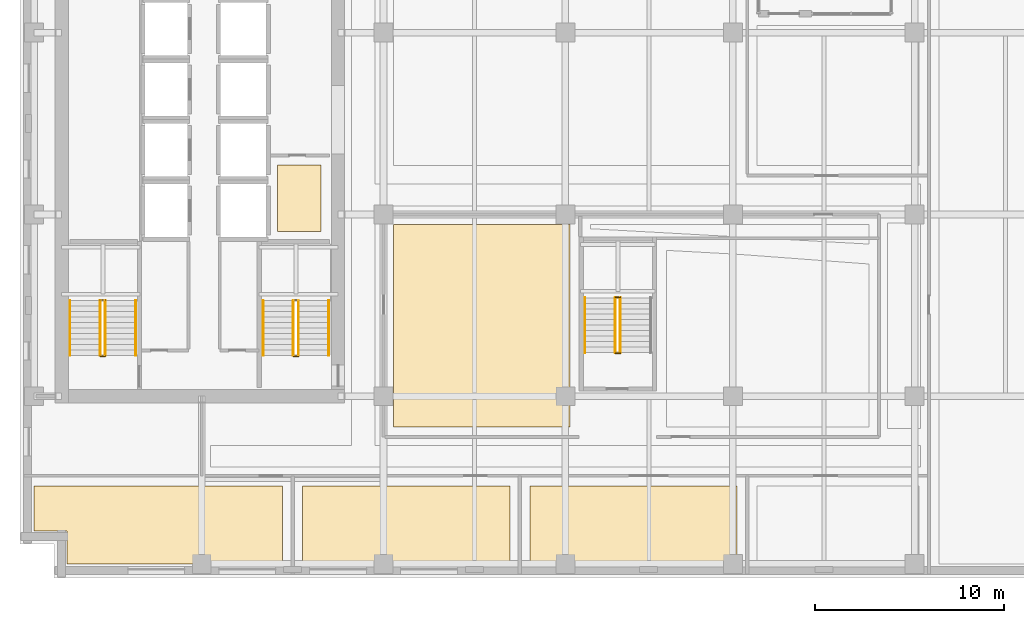
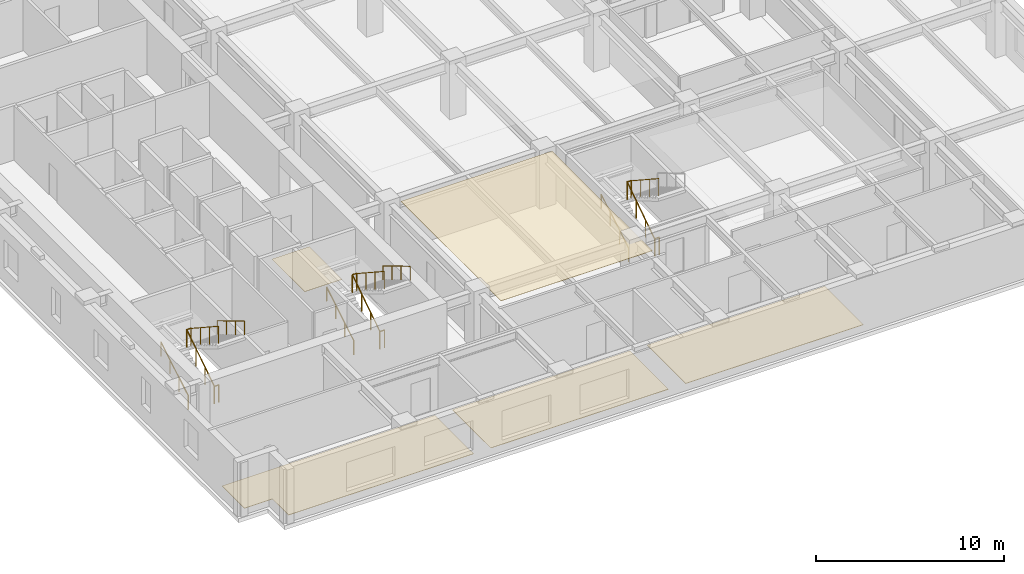
# One storey, part 12 of 16: 17 railings, 5 coverings.
"""IFC4 building model written with IfcOpenShell, lengths in metres."""

from ifc_helpers import new_model, si_unit, direction, frame, origin, origin_2d, place, context, subcontext, project, spatial, polyline, circle, outline, extrude, material, layer, layer_set, type_object, element, save


model = new_model("IFC4")

# Units and contexts
model_context = context("Model", 3, precision=1e-05, world=origin(), true_north=direction((0.0, 1.0)))
body_context = subcontext(model_context, "Body", "Model", "MODEL_VIEW")
ifc_project = project(units=[si_unit("LENGTHUNIT", "METRE"), si_unit("AREAUNIT", "SQUARE_METRE"), si_unit("VOLUMEUNIT", "CUBIC_METRE"), si_unit("PLANEANGLEUNIT", "RADIAN"), si_unit("MASSUNIT", "GRAM", prefix="KILO")], contexts=[model_context])

# Site, building, storey
site_placement = place(None, origin())
site = spatial("IfcSite", under=ifc_project, at=site_placement, CompositionType="ELEMENT")
building_placement = place(site_placement, origin())
building = spatial("IfcBuilding", under=site, at=building_placement, Name="Norrvale University Quadrangle", CompositionType="ELEMENT")
storey_placement = place(building_placement, frame((0.0, 0.0, 112.800048828125)))
storey = spatial("IfcBuildingStorey", under=building, at=storey_placement, Name="L28", CompositionType="ELEMENT", Elevation=112.800048828125)

# Coverings
ifc_material_1 = material(Name="Perforated Acoustic Mineral Ceiling")
ifc_layer_1 = layer(ifc_material_1, 0.02490234375, Name="Perforated Acoustic Mineral Ceiling")
ifc_layer_set_1 = layer_set([ifc_layer_1], Name="Perforated Acoustic Mineral Ceiling")
covering_type_1 = type_object("IfcCoveringType", Name="Covering Acoustic Ceiling 25", PredefinedType="CEILING", material=ifc_layer_set_1)
covering_1_placement = place(storey_placement, frame((0.0, 0.0, 3.514892578125)))
element("IfcCovering", 1, at=covering_1_placement, inside=storey, type_object=covering_type_1, Name="Acoustic Ceiling RM-L28-IW1", PredefinedType="CEILING", context=body_context, shape_type="SweptSolid", body=[
    extrude(outline(polyline([(19.72998046875, 7.97998046875), (19.72998046875, 18.669921875), (29.050048828125, 18.669921875), (29.050048828125, 7.97998046875), (19.72998046875, 7.97998046875)])), origin(), (0.0, 0.0, 1.0), 0.025146484375),
])
ifc_material_2 = material(Name="Polished Terrazzo Flooring")
ifc_layer_2 = layer(ifc_material_2, 0.02490234375, Name="Polished Terrazzo Flooring")
ifc_layer_set_2 = layer_set([ifc_layer_2], Name="Polished Terrazzo Flooring")
covering_type_2 = type_object("IfcCoveringType", Name="Covering Terrazzo Floor 30", PredefinedType="FLOORING", material=ifc_layer_set_2)
covering_2_placement = place(storey_placement, origin())
element("IfcCovering", 2, at=covering_2_placement, inside=storey, type_object=covering_type_2, Name="Terrazzo Flooring RM-L28-JAN", PredefinedType="FLOORING", context=body_context, shape_type="SweptSolid", body=[
    extrude(outline(polyline([(13.60009765625, 18.300048828125), (13.60009765625, 21.800048828125), (15.89990234375, 21.800048828125), (15.89990234375, 18.300048828125), (13.60009765625, 18.300048828125)])), origin(), (0.0, 0.0, 1.0), 0.02490234375),
])
covering_3_placement = place(storey_placement, origin())
element("IfcCovering", 3, at=covering_3_placement, inside=storey, type_object=covering_type_2, Name="Terrazzo Flooring RM-L28-S01", PredefinedType="FLOORING", context=body_context, shape_type="SweptSolid", body=[
    extrude(outline(polyline([(13.8701171875, 4.8701171875), (13.8701171875, 0.75), (2.469970703125, 0.75), (2.469970703125, 2.469970703125), (0.75, 2.469970703125), (0.75, 4.8701171875), (13.8701171875, 4.8701171875)])), origin(), (0.0, 0.0, 1.0), 0.02490234375),
])
covering_4_placement = place(storey_placement, origin())
element("IfcCovering", 4, at=covering_4_placement, inside=storey, type_object=covering_type_2, Name="Terrazzo Flooring RM-L28-S02", PredefinedType="FLOORING", context=body_context, shape_type="SweptSolid", body=[
    extrude(outline(polyline([(25.8701171875, 4.8701171875), (25.8701171875, 0.75), (14.929931640625, 0.75), (14.929931640625, 4.8701171875), (25.8701171875, 4.8701171875)])), origin(), (0.0, 0.0, 1.0), 0.02490234375),
])
covering_5_placement = place(storey_placement, origin())
element("IfcCovering", 5, at=covering_5_placement, inside=storey, type_object=covering_type_2, Name="Terrazzo Flooring RM-L28-S03", PredefinedType="FLOORING", context=body_context, shape_type="SweptSolid", body=[
    extrude(outline(polyline([(37.8701171875, 4.8701171875), (37.8701171875, 0.75), (26.929931640625, 0.75), (26.929931640625, 4.8701171875), (37.8701171875, 4.8701171875)])), origin(), (0.0, 0.0, 1.0), 0.02490234375),
])

# Railings
ifc_material_3 = material(Name="Steel 350W Painted Balustrade", Category="steel")
railing_type_1 = type_object("IfcRailingType", Name="Railing Stair Guard 1100", PredefinedType="GUARDRAIL", material=ifc_material_3)
for number, where, name in (
    (6, (4.239990234375, 11.719970703125, 0.0), "Stair Floor Well Guard ST-01 L28"),
    (7, (4.239990234375, 14.679931640625, 1.89990234375), "Stair Mid-Landing Slot Guard ST-01 L28"),
):
    element("IfcRailing", number, at=place(storey_placement, frame(where)), inside=storey, type_object=railing_type_1, Name=name, PredefinedType="GUARDRAIL", context=body_context, shape_type="SweptSolid", body=[
        extrude(circle(Radius=0.02392578125, at=origin_2d()), frame((0.0, 0.0, 1.1259765625), z_axis=(1.0, 0.0, 0.0), x_axis=(0.0, 1.0, 0.0)), (0.0, 0.0, 1.0), 0.27001953125),
        extrude(circle(Radius=0.02099609375, at=origin_2d()), origin(), (0.0, 0.0, 1.0), 1.101806640625),
        extrude(circle(Radius=0.02099609375, at=origin_2d()), frame((0.27001953125, 0.0, 0.0)), (0.0, 0.0, 1.0), 1.101806640625),
    ])
railing_1_placement = place(storey_placement, frame((4.239990234375, 11.75, 0.0)))
element("IfcRailing", 8, at=railing_1_placement, inside=storey, type_object=railing_type_1, Name="Stair Lower Flight Inner Guard ST-01 L28", PredefinedType="GUARDRAIL", context=body_context, shape_type="SweptSolid", body=[
    extrude(circle(Radius=0.02392578125, at=origin_2d()), frame((0.0, 0.0, 1.1259765625), z_axis=(0.0, 0.836465582154, 0.548019461216), x_axis=(-1.0, 0.0, 0.0)), (0.0, 0.0, 1.0), 3.466796875),
    extrude(circle(Radius=0.02099609375, at=origin_2d()), origin(), (0.0, 0.0, 1.0), 1.101806640625),
    extrude(circle(Radius=0.02099609375, at=origin_2d()), frame((0.0, 0.966552734375, 0.63330078125)), (0.0, 0.0, 1.0), 1.101806640625),
    extrude(circle(Radius=0.02099609375, at=origin_2d()), frame((0.0, 1.933349609375, 1.2666015625)), (0.0, 0.0, 1.0), 1.101806640625),
    extrude(circle(Radius=0.02099609375, at=origin_2d()), frame((0.0, 2.89990234375, 1.89990234375)), (0.0, 0.0, 1.0), 1.101806640625),
])
railing_2_placement = place(storey_placement, frame((4.510009765625, 14.64990234375, 1.89990234375)))
element("IfcRailing", 9, at=railing_2_placement, inside=storey, type_object=railing_type_1, Name="Stair Upper Flight Inner Guard ST-01 L28", PredefinedType="GUARDRAIL", context=body_context, shape_type="SweptSolid", body=[
    extrude(circle(Radius=0.02392578125, at=origin_2d()), frame((0.0, 0.0, 1.1259765625), z_axis=(0.0, -0.836433300813, 0.548068730445), x_axis=(1.0, 0.0, 0.0)), (0.0, 0.0, 1.0), 3.467041015625),
    extrude(circle(Radius=0.02099609375, at=origin_2d()), origin(), (0.0, 0.0, 1.0), 1.101806640625),
    extrude(circle(Radius=0.02099609375, at=origin_2d()), frame((0.0, -0.966552734375, 0.63330078125)), (0.0, 0.0, 1.0), 1.101806640625),
    extrude(circle(Radius=0.02099609375, at=origin_2d()), frame((0.0, -1.933349609375, 1.266845703125)), (0.0, 0.0, 1.0), 1.101806640625),
    extrude(circle(Radius=0.02099609375, at=origin_2d()), frame((0.0, -2.89990234375, 1.900146484375)), (0.0, 0.0, 1.0), 1.101806640625),
])
for number, where, name in (
    (10, (14.43994140625, 11.719970703125, 0.0), "Stair Floor Well Guard ST-03 L28"),
    (11, (14.43994140625, 14.679931640625, 1.89990234375), "Stair Mid-Landing Slot Guard ST-03 L28"),
):
    element("IfcRailing", number, at=place(storey_placement, frame(where)), inside=storey, type_object=railing_type_1, Name=name, PredefinedType="GUARDRAIL", context=body_context, shape_type="SweptSolid", body=[
        extrude(circle(Radius=0.02392578125, at=origin_2d()), frame((0.0, 0.0, 1.1259765625), z_axis=(1.0, 0.0, 0.0), x_axis=(0.0, 1.0, 0.0)), (0.0, 0.0, 1.0), 0.27001953125),
        extrude(circle(Radius=0.02099609375, at=origin_2d()), origin(), (0.0, 0.0, 1.0), 1.101806640625),
        extrude(circle(Radius=0.02099609375, at=origin_2d()), frame((0.27001953125, 0.0, 0.0)), (0.0, 0.0, 1.0), 1.101806640625),
    ])
railing_3_placement = place(storey_placement, frame((14.43994140625, 11.75, 0.0)))
element("IfcRailing", 12, at=railing_3_placement, inside=storey, type_object=railing_type_1, Name="Stair Lower Flight Inner Guard ST-03 L28", PredefinedType="GUARDRAIL", context=body_context, shape_type="SweptSolid", body=[
    extrude(circle(Radius=0.02392578125, at=origin_2d()), frame((0.0, 0.0, 1.1259765625), z_axis=(0.0, 0.836465582154, 0.548019461216), x_axis=(-1.0, 0.0, 0.0)), (0.0, 0.0, 1.0), 3.466796875),
    extrude(circle(Radius=0.02099609375, at=origin_2d()), origin(), (0.0, 0.0, 1.0), 1.101806640625),
    extrude(circle(Radius=0.02099609375, at=origin_2d()), frame((0.0, 0.966552734375, 0.63330078125)), (0.0, 0.0, 1.0), 1.101806640625),
    extrude(circle(Radius=0.02099609375, at=origin_2d()), frame((0.0, 1.933349609375, 1.2666015625)), (0.0, 0.0, 1.0), 1.101806640625),
    extrude(circle(Radius=0.02099609375, at=origin_2d()), frame((0.0, 2.89990234375, 1.89990234375)), (0.0, 0.0, 1.0), 1.101806640625),
])
railing_4_placement = place(storey_placement, frame((14.7099609375, 14.64990234375, 1.89990234375)))
element("IfcRailing", 13, at=railing_4_placement, inside=storey, type_object=railing_type_1, Name="Stair Upper Flight Inner Guard ST-03 L28", PredefinedType="GUARDRAIL", context=body_context, shape_type="SweptSolid", body=[
    extrude(circle(Radius=0.02392578125, at=origin_2d()), frame((0.0, 0.0, 1.1259765625), z_axis=(0.0, -0.836433300813, 0.548068730445), x_axis=(1.0, 0.0, 0.0)), (0.0, 0.0, 1.0), 3.467041015625),
    extrude(circle(Radius=0.02099609375, at=origin_2d()), origin(), (0.0, 0.0, 1.0), 1.101806640625),
    extrude(circle(Radius=0.02099609375, at=origin_2d()), frame((0.0, -0.966552734375, 0.63330078125)), (0.0, 0.0, 1.0), 1.101806640625),
    extrude(circle(Radius=0.02099609375, at=origin_2d()), frame((0.0, -1.933349609375, 1.266845703125)), (0.0, 0.0, 1.0), 1.101806640625),
    extrude(circle(Radius=0.02099609375, at=origin_2d()), frame((0.0, -2.89990234375, 1.900146484375)), (0.0, 0.0, 1.0), 1.101806640625),
])
for number, where, name in (
    (14, (31.43994140625, 11.8701171875, 0.0), "Stair Floor Well Guard ST-04 L28"),
    (15, (31.43994140625, 14.830078125, 1.89990234375), "Stair Mid-Landing Slot Guard ST-04 L28"),
):
    element("IfcRailing", number, at=place(storey_placement, frame(where)), inside=storey, type_object=railing_type_1, Name=name, PredefinedType="GUARDRAIL", context=body_context, shape_type="SweptSolid", body=[
        extrude(circle(Radius=0.02392578125, at=origin_2d()), frame((0.0, 0.0, 1.1259765625), z_axis=(1.0, 0.0, 0.0), x_axis=(0.0, 1.0, 0.0)), (0.0, 0.0, 1.0), 0.27001953125),
        extrude(circle(Radius=0.02099609375, at=origin_2d()), origin(), (0.0, 0.0, 1.0), 1.101806640625),
        extrude(circle(Radius=0.02099609375, at=origin_2d()), frame((0.27001953125, 0.0, 0.0)), (0.0, 0.0, 1.0), 1.101806640625),
    ])
railing_5_placement = place(storey_placement, frame((31.43994140625, 11.89990234375, 0.0)))
element("IfcRailing", 16, at=railing_5_placement, inside=storey, type_object=railing_type_1, Name="Stair Lower Flight Inner Guard ST-04 L28", PredefinedType="GUARDRAIL", context=body_context, shape_type="SweptSolid", body=[
    extrude(circle(Radius=0.02392578125, at=origin_2d()), frame((0.0, 0.0, 1.1259765625), z_axis=(0.0, 0.836486729621, 0.547987181573), x_axis=(-1.0, 0.0, 0.0)), (0.0, 0.0, 1.0), 3.467041015625),
    extrude(circle(Radius=0.02099609375, at=origin_2d()), origin(), (0.0, 0.0, 1.0), 1.101806640625),
    extrude(circle(Radius=0.02099609375, at=origin_2d()), frame((0.0, 0.966796875, 0.63330078125)), (0.0, 0.0, 1.0), 1.101806640625),
    extrude(circle(Radius=0.02099609375, at=origin_2d()), frame((0.0, 1.933349609375, 1.2666015625)), (0.0, 0.0, 1.0), 1.101806640625),
    extrude(circle(Radius=0.02099609375, at=origin_2d()), frame((0.0, 2.900146484375, 1.89990234375)), (0.0, 0.0, 1.0), 1.101806640625),
])
railing_6_placement = place(storey_placement, frame((31.7099609375, 14.800048828125, 1.89990234375)))
element("IfcRailing", 17, at=railing_6_placement, inside=storey, type_object=railing_type_1, Name="Stair Upper Flight Inner Guard ST-04 L28", PredefinedType="GUARDRAIL", context=body_context, shape_type="SweptSolid", body=[
    extrude(circle(Radius=0.02392578125, at=origin_2d()), frame((0.0, 0.0, 1.1259765625), z_axis=(0.0, -0.836454451266, 0.548036450392), x_axis=(1.0, 0.0, 0.0)), (0.0, 0.0, 1.0), 3.46728515625),
    extrude(circle(Radius=0.02099609375, at=origin_2d()), origin(), (0.0, 0.0, 1.0), 1.101806640625),
    extrude(circle(Radius=0.02099609375, at=origin_2d()), frame((0.0, -0.966796875, 0.63330078125)), (0.0, 0.0, 1.0), 1.101806640625),
    extrude(circle(Radius=0.02099609375, at=origin_2d()), frame((0.0, -1.933349609375, 1.266845703125)), (0.0, 0.0, 1.0), 1.101806640625),
    extrude(circle(Radius=0.02099609375, at=origin_2d()), frame((0.0, -2.900146484375, 1.900146484375)), (0.0, 0.0, 1.0), 1.101806640625),
])
ifc_material_4 = material(Name="Stainless Steel 316L Handrail", Category="steel")
railing_type_2 = type_object("IfcRailingType", Name="Railing Stair Handrail 920", PredefinedType="HANDRAIL", material=ifc_material_4)
railing_7_placement = place(storey_placement, frame((2.639892578125, 11.75, 0.172607421875)))
element("IfcRailing", 18, at=railing_7_placement, inside=storey, type_object=railing_type_2, Name="Stair Lower Flight Handrail ST-01 L28", PredefinedType="HANDRAIL", context=body_context, shape_type="SweptSolid", body=[
    extrude(circle(Radius=0.02392578125, at=origin_2d()), frame((0.0, 0.0, 0.89599609375), z_axis=(0.0, 0.859141464434, 0.511738159696), x_axis=(-1.0, 0.0, 0.0)), (0.0, 0.0, 1.0), 3.375244140625),
    extrude(circle(Radius=0.02099609375, at=origin_2d()), origin(), (0.0, 0.0, 1.0), 0.871826171875),
    extrude(circle(Radius=0.02099609375, at=origin_2d()), frame((0.0, 0.966552734375, 0.57568359375)), (0.0, 0.0, 1.0), 0.871826171875),
    extrude(circle(Radius=0.02099609375, at=origin_2d()), frame((0.0, 1.933349609375, 1.151611328125)), (0.0, 0.0, 1.0), 0.871826171875),
    extrude(circle(Radius=0.02099609375, at=origin_2d()), frame((0.0, 2.89990234375, 1.727294921875)), (0.0, 0.0, 1.0), 0.871826171875),
])
railing_8_placement = place(storey_placement, frame((6.110107421875, 14.64990234375, 2.07275390625)))
element("IfcRailing", 19, at=railing_8_placement, inside=storey, type_object=railing_type_2, Name="Stair Upper Flight Handrail ST-01 L28", PredefinedType="HANDRAIL", context=body_context, shape_type="SweptSolid", body=[
    extrude(circle(Radius=0.02392578125, at=origin_2d()), frame((0.0, 0.0, 0.89599609375), z_axis=(0.0, -0.859141464434, 0.511738159696), x_axis=(1.0, 0.0, 0.0)), (0.0, 0.0, 1.0), 3.375244140625),
    extrude(circle(Radius=0.02099609375, at=origin_2d()), origin(), (0.0, 0.0, 1.0), 0.871826171875),
    extrude(circle(Radius=0.02099609375, at=origin_2d()), frame((0.0, -0.966552734375, 0.57568359375)), (0.0, 0.0, 1.0), 0.871826171875),
    extrude(circle(Radius=0.02099609375, at=origin_2d()), frame((0.0, -1.933349609375, 1.151611328125)), (0.0, 0.0, 1.0), 0.871826171875),
    extrude(circle(Radius=0.02099609375, at=origin_2d()), frame((0.0, -2.89990234375, 1.727294921875)), (0.0, 0.0, 1.0), 0.871826171875),
])
railing_9_placement = place(storey_placement, frame((12.840087890625, 11.75, 0.172607421875)))
element("IfcRailing", 20, at=railing_9_placement, inside=storey, type_object=railing_type_2, Name="Stair Lower Flight Handrail ST-03 L28", PredefinedType="HANDRAIL", context=body_context, shape_type="SweptSolid", body=[
    extrude(circle(Radius=0.02392578125, at=origin_2d()), frame((0.0, 0.0, 0.89599609375), z_axis=(0.0, 0.859141464434, 0.511738159696), x_axis=(-1.0, 0.0, 0.0)), (0.0, 0.0, 1.0), 3.375244140625),
    extrude(circle(Radius=0.02099609375, at=origin_2d()), origin(), (0.0, 0.0, 1.0), 0.871826171875),
    extrude(circle(Radius=0.02099609375, at=origin_2d()), frame((0.0, 0.966552734375, 0.57568359375)), (0.0, 0.0, 1.0), 0.871826171875),
    extrude(circle(Radius=0.02099609375, at=origin_2d()), frame((0.0, 1.933349609375, 1.151611328125)), (0.0, 0.0, 1.0), 0.871826171875),
    extrude(circle(Radius=0.02099609375, at=origin_2d()), frame((0.0, 2.89990234375, 1.727294921875)), (0.0, 0.0, 1.0), 0.871826171875),
])
railing_10_placement = place(storey_placement, frame((16.31005859375, 14.64990234375, 2.07275390625)))
element("IfcRailing", 21, at=railing_10_placement, inside=storey, type_object=railing_type_2, Name="Stair Upper Flight Handrail ST-03 L28", PredefinedType="HANDRAIL", context=body_context, shape_type="SweptSolid", body=[
    extrude(circle(Radius=0.02392578125, at=origin_2d()), frame((0.0, 0.0, 0.89599609375), z_axis=(0.0, -0.859141464434, 0.511738159696), x_axis=(1.0, 0.0, 0.0)), (0.0, 0.0, 1.0), 3.375244140625),
    extrude(circle(Radius=0.02099609375, at=origin_2d()), origin(), (0.0, 0.0, 1.0), 0.871826171875),
    extrude(circle(Radius=0.02099609375, at=origin_2d()), frame((0.0, -0.966552734375, 0.57568359375)), (0.0, 0.0, 1.0), 0.871826171875),
    extrude(circle(Radius=0.02099609375, at=origin_2d()), frame((0.0, -1.933349609375, 1.151611328125)), (0.0, 0.0, 1.0), 0.871826171875),
    extrude(circle(Radius=0.02099609375, at=origin_2d()), frame((0.0, -2.89990234375, 1.727294921875)), (0.0, 0.0, 1.0), 0.871826171875),
])
railing_11_placement = place(storey_placement, frame((29.840087890625, 11.89990234375, 0.172607421875)))
element("IfcRailing", 22, at=railing_11_placement, inside=storey, type_object=railing_type_2, Name="Stair Lower Flight Handrail ST-04 L28", PredefinedType="HANDRAIL", context=body_context, shape_type="SweptSolid", body=[
    extrude(circle(Radius=0.02392578125, at=origin_2d()), frame((0.0, 0.0, 0.89599609375), z_axis=(0.0, 0.859160404282, 0.51170636083), x_axis=(-1.0, 0.0, 0.0)), (0.0, 0.0, 1.0), 3.37548828125),
    extrude(circle(Radius=0.02099609375, at=origin_2d()), origin(), (0.0, 0.0, 1.0), 0.871826171875),
    extrude(circle(Radius=0.02099609375, at=origin_2d()), frame((0.0, 0.966796875, 0.57568359375)), (0.0, 0.0, 1.0), 0.871826171875),
    extrude(circle(Radius=0.02099609375, at=origin_2d()), frame((0.0, 1.933349609375, 1.151611328125)), (0.0, 0.0, 1.0), 0.871826171875),
    extrude(circle(Radius=0.02099609375, at=origin_2d()), frame((0.0, 2.900146484375, 1.727294921875)), (0.0, 0.0, 1.0), 0.871826171875),
])

save(model, "model.ifc")
